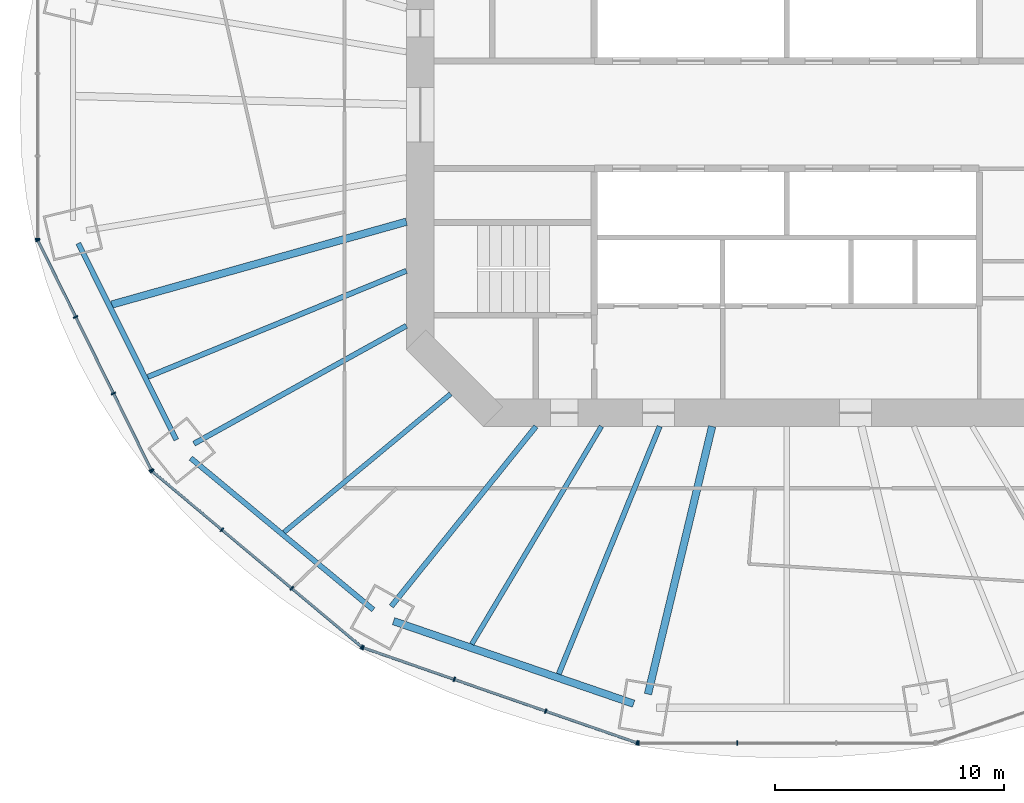
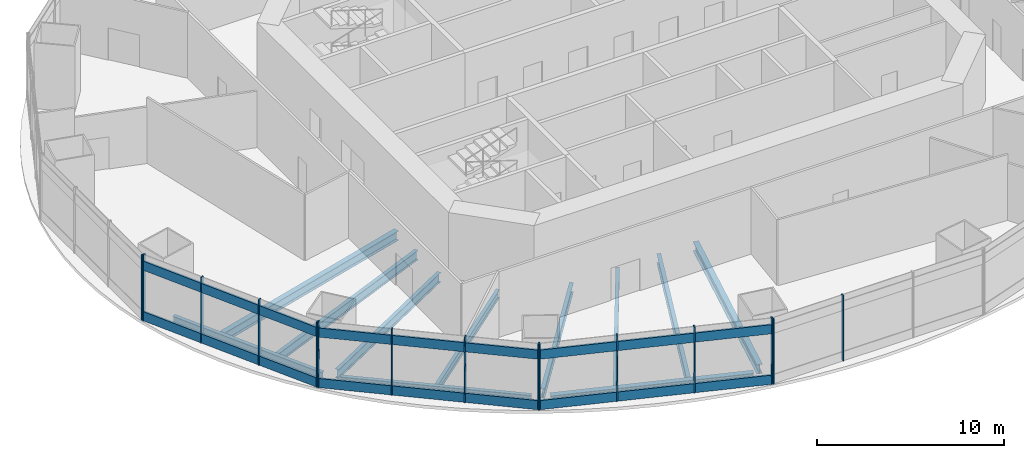
# One storey, part 2 of 17: 36 members, 11 beams, 10 elements without a shape of their own.
"""IFC4 building model written with IfcOpenShell, lengths in metres."""

from ifc_helpers import new_model, si_unit, direction, frame, origin, origin_2d, place, context, subcontext, project, spatial, rectangle, i_section, extrude, material, material_profile, profile_set, type_object, element, aggregate, save


model = new_model("IFC4")

# Units and contexts
model_context = context("Model", 3, precision=1e-05, world=origin(), true_north=direction((0.0, 1.0)))
body_context = subcontext(model_context, "Body", "Model", "MODEL_VIEW")
ifc_project = project(units=[si_unit("LENGTHUNIT", "METRE"), si_unit("AREAUNIT", "SQUARE_METRE"), si_unit("VOLUMEUNIT", "CUBIC_METRE"), si_unit("PLANEANGLEUNIT", "RADIAN"), si_unit("MASSUNIT", "GRAM", prefix="KILO")], contexts=[model_context])

# Site, building, storey
site_placement = place(None, origin())
site = spatial("IfcSite", under=ifc_project, at=site_placement, CompositionType="ELEMENT")
building_placement = place(site_placement, origin())
building = spatial("IfcBuilding", under=site, at=building_placement, Name="Marenthal Gate Tower", CompositionType="ELEMENT")
storey_placement = place(building_placement, frame((0.0, 0.0, 145.050048828125)))
storey = spatial("IfcBuildingStorey", under=building, at=storey_placement, Name="L31", CompositionType="ELEMENT", Elevation=145.050048828125)

# Curtain wall, member
ifc_material_1 = material(Name="Aluminium and glass", Category="aluminium")
curtain_wall_type_1 = type_object("IfcCurtainWallType", Name="Curtain wall amenity", PredefinedType="NOTDEFINED", material=ifc_material_1)
curtain_wall_1_placement = place(storey_placement, origin())
curtain_wall_1 = element("IfcCurtainWall", 1, at=curtain_wall_1_placement, inside=storey, type_object=curtain_wall_type_1, Name="Curtain wall L31 bay 8", PredefinedType="NOTDEFINED")
ifc_material_2 = material(Name="Aluminium", Category="aluminium")
ifc_material_profile_1 = material_profile(ifc_material_2, rectangle(XDim=0.199951171875, YDim=0.06005859375, at=origin_2d()), Name="60x200 aluminium mullion")
ifc_profile_set_1 = profile_set([ifc_material_profile_1], Name="Aluminium")
member_type_1 = type_object("IfcMemberType", Name="Mullion 60x200 amenity", PredefinedType="MULLION", material=ifc_profile_set_1)
member_1_placement = place(storey_placement, frame((-32.701416015625, -5.424072265625, 0.0), z_axis=(0.0, 0.0, 1.0), x_axis=(1.0, 0.0, 0.0)))
member_1 = element("IfcMember", 2, at=member_1_placement, type_object=member_type_1, Name="Mullion L31 bay 8.4", PredefinedType="MULLION", context=body_context, shape_type="SweptSolid", body=[
    extrude(rectangle(XDim=0.199951171875, YDim=0.06005859375, at=origin_2d()), origin(), (0.0, 0.0, 1.0), 3.300048828125),
])
aggregate(curtain_wall_1, [member_1])

# Curtain wall, members
curtain_wall_2_placement = place(storey_placement, origin())
curtain_wall_2 = element("IfcCurtainWall", 3, at=curtain_wall_2_placement, inside=storey, type_object=curtain_wall_type_1, Name="Curtain wall L31 bay 9", PredefinedType="NOTDEFINED")
member_2_placement = place(storey_placement, frame((-32.68798828125, -5.48095703125, 0.0), z_axis=(0.0, 0.0, 1.0), x_axis=(0.896573265484, 0.442895449987, 0.0)))
member_2 = element("IfcMember", 4, at=member_2_placement, type_object=member_type_1, Name="Mullion L31 bay 9.1", PredefinedType="MULLION", context=body_context, shape_type="SweptSolid", body=[
    extrude(rectangle(XDim=0.199951171875, YDim=0.06005859375, at=origin_2d()), origin(), (0.0, 0.0, 1.0), 3.300048828125),
])
member_3_placement = place(storey_placement, frame((-31.037353515625, -8.822509765625, 0.0), z_axis=(0.0, 0.0, 1.0), x_axis=(0.896573265484, 0.442895449987, 0.0)))
member_3 = element("IfcMember", 5, at=member_3_placement, type_object=member_type_1, Name="Mullion L31 bay 9.2", PredefinedType="MULLION", context=body_context, shape_type="SweptSolid", body=[
    extrude(rectangle(XDim=0.199951171875, YDim=0.06005859375, at=origin_2d()), origin(), (0.0, 0.0, 1.0), 3.300048828125),
])
member_4_placement = place(storey_placement, frame((-29.38671875, -12.163818359375, 0.0), z_axis=(0.0, 0.0, 1.0), x_axis=(0.896573265484, 0.442895449987, 0.0)))
member_4 = element("IfcMember", 6, at=member_4_placement, type_object=member_type_1, Name="Mullion L31 bay 9.3", PredefinedType="MULLION", context=body_context, shape_type="SweptSolid", body=[
    extrude(rectangle(XDim=0.199951171875, YDim=0.06005859375, at=origin_2d()), origin(), (0.0, 0.0, 1.0), 3.300048828125),
])
member_5_placement = place(storey_placement, frame((-27.736083984375, -15.505126953125, 0.0), z_axis=(0.0, 0.0, 1.0), x_axis=(0.896573265484, 0.442895449987, 0.0)))
member_5 = element("IfcMember", 7, at=member_5_placement, type_object=member_type_1, Name="Mullion L31 bay 9.4", PredefinedType="MULLION", context=body_context, shape_type="SweptSolid", body=[
    extrude(rectangle(XDim=0.199951171875, YDim=0.06005859375, at=origin_2d()), origin(), (0.0, 0.0, 1.0), 3.300048828125),
])

curtain_wall_3_placement = place(storey_placement, origin())
curtain_wall_3 = element("IfcCurtainWall", 8, at=curtain_wall_3_placement, inside=storey, type_object=curtain_wall_type_1, Name="Curtain wall L31 bay 10", PredefinedType="NOTDEFINED")
member_6_placement = place(storey_placement, frame((-27.699951171875, -15.55126953125, 0.0), z_axis=(0.0, 0.0, 1.0), x_axis=(0.642510826857, 0.766276606305, 0.0)))
member_6 = element("IfcMember", 9, at=member_6_placement, type_object=member_type_1, Name="Mullion L31 bay 10.1", PredefinedType="MULLION", context=body_context, shape_type="SweptSolid", body=[
    extrude(rectangle(XDim=0.199951171875, YDim=0.06005859375, at=origin_2d()), origin(), (0.0, 0.0, 1.0), 3.300048828125),
])
member_7_placement = place(storey_placement, frame((-24.64892578125, -18.109619140625, 0.0), z_axis=(0.0, 0.0, 1.0), x_axis=(0.642510826857, 0.766276606305, 0.0)))
member_7 = element("IfcMember", 10, at=member_7_placement, type_object=member_type_1, Name="Mullion L31 bay 10.2", PredefinedType="MULLION", context=body_context, shape_type="SweptSolid", body=[
    extrude(rectangle(XDim=0.199951171875, YDim=0.06005859375, at=origin_2d()), origin(), (0.0, 0.0, 1.0), 3.300048828125),
])
member_8_placement = place(storey_placement, frame((-21.597900390625, -20.66796875, 0.0), z_axis=(0.0, 0.0, 1.0), x_axis=(0.642510826857, 0.766276606305, 0.0)))
member_8 = element("IfcMember", 11, at=member_8_placement, type_object=member_type_1, Name="Mullion L31 bay 10.3", PredefinedType="MULLION", context=body_context, shape_type="SweptSolid", body=[
    extrude(rectangle(XDim=0.199951171875, YDim=0.06005859375, at=origin_2d()), origin(), (0.0, 0.0, 1.0), 3.300048828125),
])
member_9_placement = place(storey_placement, frame((-18.546875, -23.22607421875, 0.0), z_axis=(0.0, 0.0, 1.0), x_axis=(0.642510826857, 0.766276606305, 0.0)))
member_9 = element("IfcMember", 12, at=member_9_placement, type_object=member_type_1, Name="Mullion L31 bay 10.4", PredefinedType="MULLION", context=body_context, shape_type="SweptSolid", body=[
    extrude(rectangle(XDim=0.199951171875, YDim=0.06005859375, at=origin_2d()), origin(), (0.0, 0.0, 1.0), 3.300048828125),
])

curtain_wall_4_placement = place(storey_placement, origin())
curtain_wall_4 = element("IfcCurtainWall", 13, at=curtain_wall_4_placement, inside=storey, type_object=curtain_wall_type_1, Name="Curtain wall L31 bay 11", PredefinedType="NOTDEFINED")
member_10_placement = place(storey_placement, frame((-18.495361328125, -23.255126953125, 0.0), z_axis=(0.0, 0.0, 1.0), x_axis=(0.328088938475, 0.944646837951, 0.0)))
member_10 = element("IfcMember", 14, at=member_10_placement, type_object=member_type_1, Name="Mullion L31 bay 11.1", PredefinedType="MULLION", context=body_context, shape_type="SweptSolid", body=[
    extrude(rectangle(XDim=0.199951171875, YDim=0.06005859375, at=origin_2d()), origin(), (0.0, 0.0, 1.0), 3.300048828125),
])
member_11_placement = place(storey_placement, frame((-14.508056640625, -24.64013671875, 0.0), z_axis=(0.0, 0.0, 1.0), x_axis=(0.328088938475, 0.944646837951, 0.0)))
member_11 = element("IfcMember", 15, at=member_11_placement, type_object=member_type_1, Name="Mullion L31 bay 11.2", PredefinedType="MULLION", context=body_context, shape_type="SweptSolid", body=[
    extrude(rectangle(XDim=0.199951171875, YDim=0.06005859375, at=origin_2d()), origin(), (0.0, 0.0, 1.0), 3.300048828125),
])
member_12_placement = place(storey_placement, frame((-10.5205078125, -26.025146484375, 0.0), z_axis=(0.0, 0.0, 1.0), x_axis=(0.328088938475, 0.944646837951, 0.0)))
member_12 = element("IfcMember", 16, at=member_12_placement, type_object=member_type_1, Name="Mullion L31 bay 11.3", PredefinedType="MULLION", context=body_context, shape_type="SweptSolid", body=[
    extrude(rectangle(XDim=0.199951171875, YDim=0.06005859375, at=origin_2d()), origin(), (0.0, 0.0, 1.0), 3.300048828125),
])
member_13_placement = place(storey_placement, frame((-6.532958984375, -27.409912109375, 0.0), z_axis=(0.0, 0.0, 1.0), x_axis=(0.328088938475, 0.944646837951, 0.0)))
member_13 = element("IfcMember", 17, at=member_13_placement, type_object=member_type_1, Name="Mullion L31 bay 11.4", PredefinedType="MULLION", context=body_context, shape_type="SweptSolid", body=[
    extrude(rectangle(XDim=0.199951171875, YDim=0.06005859375, at=origin_2d()), origin(), (0.0, 0.0, 1.0), 3.300048828125),
])

curtain_wall_5_placement = place(storey_placement, origin())
curtain_wall_5 = element("IfcCurtainWall", 18, at=curtain_wall_5_placement, inside=storey, type_object=curtain_wall_type_1, Name="Curtain wall L31 bay 12", PredefinedType="NOTDEFINED")
member_14_placement = place(storey_placement, frame((-6.474609375, -27.419921875, 0.0), z_axis=(0.0, 0.0, 1.0), x_axis=(0.0, 1.0, 0.0)))
member_14 = element("IfcMember", 19, at=member_14_placement, type_object=member_type_1, Name="Mullion L31 bay 12.1", PredefinedType="MULLION", context=body_context, shape_type="SweptSolid", body=[
    extrude(rectangle(XDim=0.199951171875, YDim=0.06005859375, at=origin_2d()), origin(), (0.0, 0.0, 1.0), 3.300048828125),
])
member_15_placement = place(storey_placement, frame((-2.158203125, -27.419921875, 0.0), z_axis=(0.0, 0.0, 1.0), x_axis=(0.0, 1.0, 0.0)))
member_15 = element("IfcMember", 20, at=member_15_placement, type_object=member_type_1, Name="Mullion L31 bay 12.2", PredefinedType="MULLION", context=body_context, shape_type="SweptSolid", body=[
    extrude(rectangle(XDim=0.199951171875, YDim=0.06005859375, at=origin_2d()), origin(), (0.0, 0.0, 1.0), 3.300048828125),
])
aggregate(curtain_wall_5, [member_14, member_15])

# Curtain wall, member
ifc_material_3 = material(Name="Aluminium and glass", Category="aluminium")
curtain_wall_type_2 = type_object("IfcCurtainWallType", Name="Curtain wall crown clad", PredefinedType="NOTDEFINED", material=ifc_material_3)
curtain_wall_6_placement = place(storey_placement, origin())
curtain_wall_6 = element("IfcCurtainWall", 21, at=curtain_wall_6_placement, inside=storey, type_object=curtain_wall_type_2, Name="Curtain wall L31 bay 8 head band", PredefinedType="NOTDEFINED")
ifc_material_4 = material(Name="Aluminium", Category="aluminium")
ifc_material_profile_2 = material_profile(ifc_material_4, rectangle(XDim=0.199951171875, YDim=0.06005859375, at=origin_2d()), Name="60x200 aluminium mullion")
ifc_profile_set_2 = profile_set([ifc_material_profile_2], Name="Aluminium")
member_type_2 = type_object("IfcMemberType", Name="Mullion 60x200 crown clad", PredefinedType="MULLION", material=ifc_profile_set_2)
member_16_placement = place(storey_placement, frame((-32.701416015625, -5.424072265625, 3.300048828125), z_axis=(0.0, 0.0, 1.0), x_axis=(1.0, 0.0, 0.0)))
member_16 = element("IfcMember", 22, at=member_16_placement, type_object=member_type_2, Name="Mullion L31 bay 8.4", PredefinedType="MULLION", context=body_context, shape_type="SweptSolid", body=[
    extrude(rectangle(XDim=0.199951171875, YDim=0.06005859375, at=origin_2d()), origin(), (0.0, 0.0, 1.0), 1.0),
])
aggregate(curtain_wall_6, [member_16])

# Curtain wall, members
curtain_wall_7_placement = place(storey_placement, origin())
curtain_wall_7 = element("IfcCurtainWall", 23, at=curtain_wall_7_placement, inside=storey, type_object=curtain_wall_type_2, Name="Curtain wall L31 bay 9 head band", PredefinedType="NOTDEFINED")
member_17_placement = place(storey_placement, frame((-32.68798828125, -5.48095703125, 3.300048828125), z_axis=(0.0, 0.0, 1.0), x_axis=(0.896573265484, 0.442895449987, 0.0)))
member_17 = element("IfcMember", 24, at=member_17_placement, type_object=member_type_2, Name="Mullion L31 bay 9.1", PredefinedType="MULLION", context=body_context, shape_type="SweptSolid", body=[
    extrude(rectangle(XDim=0.199951171875, YDim=0.06005859375, at=origin_2d()), origin(), (0.0, 0.0, 1.0), 1.0),
])
member_18_placement = place(storey_placement, frame((-31.037353515625, -8.822509765625, 3.300048828125), z_axis=(0.0, 0.0, 1.0), x_axis=(0.896573265484, 0.442895449987, 0.0)))
member_18 = element("IfcMember", 25, at=member_18_placement, type_object=member_type_2, Name="Mullion L31 bay 9.2", PredefinedType="MULLION", context=body_context, shape_type="SweptSolid", body=[
    extrude(rectangle(XDim=0.199951171875, YDim=0.06005859375, at=origin_2d()), origin(), (0.0, 0.0, 1.0), 1.0),
])
member_19_placement = place(storey_placement, frame((-29.38671875, -12.163818359375, 3.300048828125), z_axis=(0.0, 0.0, 1.0), x_axis=(0.896573265484, 0.442895449987, 0.0)))
member_19 = element("IfcMember", 26, at=member_19_placement, type_object=member_type_2, Name="Mullion L31 bay 9.3", PredefinedType="MULLION", context=body_context, shape_type="SweptSolid", body=[
    extrude(rectangle(XDim=0.199951171875, YDim=0.06005859375, at=origin_2d()), origin(), (0.0, 0.0, 1.0), 1.0),
])
member_20_placement = place(storey_placement, frame((-27.736083984375, -15.505126953125, 3.300048828125), z_axis=(0.0, 0.0, 1.0), x_axis=(0.896573265484, 0.442895449987, 0.0)))
member_20 = element("IfcMember", 27, at=member_20_placement, type_object=member_type_2, Name="Mullion L31 bay 9.4", PredefinedType="MULLION", context=body_context, shape_type="SweptSolid", body=[
    extrude(rectangle(XDim=0.199951171875, YDim=0.06005859375, at=origin_2d()), origin(), (0.0, 0.0, 1.0), 1.0),
])

curtain_wall_8_placement = place(storey_placement, origin())
curtain_wall_8 = element("IfcCurtainWall", 28, at=curtain_wall_8_placement, inside=storey, type_object=curtain_wall_type_2, Name="Curtain wall L31 bay 10 head band", PredefinedType="NOTDEFINED")
member_21_placement = place(storey_placement, frame((-27.699951171875, -15.55126953125, 3.300048828125), z_axis=(0.0, 0.0, 1.0), x_axis=(0.642510826857, 0.766276606305, 0.0)))
member_21 = element("IfcMember", 29, at=member_21_placement, type_object=member_type_2, Name="Mullion L31 bay 10.1", PredefinedType="MULLION", context=body_context, shape_type="SweptSolid", body=[
    extrude(rectangle(XDim=0.199951171875, YDim=0.06005859375, at=origin_2d()), origin(), (0.0, 0.0, 1.0), 1.0),
])
member_22_placement = place(storey_placement, frame((-24.64892578125, -18.109619140625, 3.300048828125), z_axis=(0.0, 0.0, 1.0), x_axis=(0.642510826857, 0.766276606305, 0.0)))
member_22 = element("IfcMember", 30, at=member_22_placement, type_object=member_type_2, Name="Mullion L31 bay 10.2", PredefinedType="MULLION", context=body_context, shape_type="SweptSolid", body=[
    extrude(rectangle(XDim=0.199951171875, YDim=0.06005859375, at=origin_2d()), origin(), (0.0, 0.0, 1.0), 1.0),
])
member_23_placement = place(storey_placement, frame((-21.597900390625, -20.66796875, 3.300048828125), z_axis=(0.0, 0.0, 1.0), x_axis=(0.642510826857, 0.766276606305, 0.0)))
member_23 = element("IfcMember", 31, at=member_23_placement, type_object=member_type_2, Name="Mullion L31 bay 10.3", PredefinedType="MULLION", context=body_context, shape_type="SweptSolid", body=[
    extrude(rectangle(XDim=0.199951171875, YDim=0.06005859375, at=origin_2d()), origin(), (0.0, 0.0, 1.0), 1.0),
])
member_24_placement = place(storey_placement, frame((-18.546875, -23.22607421875, 3.300048828125), z_axis=(0.0, 0.0, 1.0), x_axis=(0.642510826857, 0.766276606305, 0.0)))
member_24 = element("IfcMember", 32, at=member_24_placement, type_object=member_type_2, Name="Mullion L31 bay 10.4", PredefinedType="MULLION", context=body_context, shape_type="SweptSolid", body=[
    extrude(rectangle(XDim=0.199951171875, YDim=0.06005859375, at=origin_2d()), origin(), (0.0, 0.0, 1.0), 1.0),
])

curtain_wall_9_placement = place(storey_placement, origin())
curtain_wall_9 = element("IfcCurtainWall", 33, at=curtain_wall_9_placement, inside=storey, type_object=curtain_wall_type_2, Name="Curtain wall L31 bay 11 head band", PredefinedType="NOTDEFINED")
member_25_placement = place(storey_placement, frame((-18.495361328125, -23.255126953125, 3.300048828125), z_axis=(0.0, 0.0, 1.0), x_axis=(0.328088938475, 0.944646837951, 0.0)))
member_25 = element("IfcMember", 34, at=member_25_placement, type_object=member_type_2, Name="Mullion L31 bay 11.1", PredefinedType="MULLION", context=body_context, shape_type="SweptSolid", body=[
    extrude(rectangle(XDim=0.199951171875, YDim=0.06005859375, at=origin_2d()), origin(), (0.0, 0.0, 1.0), 1.0),
])
member_26_placement = place(storey_placement, frame((-14.508056640625, -24.64013671875, 3.300048828125), z_axis=(0.0, 0.0, 1.0), x_axis=(0.328088938475, 0.944646837951, 0.0)))
member_26 = element("IfcMember", 35, at=member_26_placement, type_object=member_type_2, Name="Mullion L31 bay 11.2", PredefinedType="MULLION", context=body_context, shape_type="SweptSolid", body=[
    extrude(rectangle(XDim=0.199951171875, YDim=0.06005859375, at=origin_2d()), origin(), (0.0, 0.0, 1.0), 1.0),
])
member_27_placement = place(storey_placement, frame((-10.5205078125, -26.025146484375, 3.300048828125), z_axis=(0.0, 0.0, 1.0), x_axis=(0.328088938475, 0.944646837951, 0.0)))
member_27 = element("IfcMember", 36, at=member_27_placement, type_object=member_type_2, Name="Mullion L31 bay 11.3", PredefinedType="MULLION", context=body_context, shape_type="SweptSolid", body=[
    extrude(rectangle(XDim=0.199951171875, YDim=0.06005859375, at=origin_2d()), origin(), (0.0, 0.0, 1.0), 1.0),
])
member_28_placement = place(storey_placement, frame((-6.532958984375, -27.409912109375, 3.300048828125), z_axis=(0.0, 0.0, 1.0), x_axis=(0.328088938475, 0.944646837951, 0.0)))
member_28 = element("IfcMember", 37, at=member_28_placement, type_object=member_type_2, Name="Mullion L31 bay 11.4", PredefinedType="MULLION", context=body_context, shape_type="SweptSolid", body=[
    extrude(rectangle(XDim=0.199951171875, YDim=0.06005859375, at=origin_2d()), origin(), (0.0, 0.0, 1.0), 1.0),
])

curtain_wall_10_placement = place(storey_placement, origin())
curtain_wall_10 = element("IfcCurtainWall", 38, at=curtain_wall_10_placement, inside=storey, type_object=curtain_wall_type_2, Name="Curtain wall L31 bay 12 head band", PredefinedType="NOTDEFINED")
member_29_placement = place(storey_placement, frame((-6.474609375, -27.419921875, 3.300048828125), z_axis=(0.0, 0.0, 1.0), x_axis=(0.0, 1.0, 0.0)))
member_29 = element("IfcMember", 39, at=member_29_placement, type_object=member_type_2, Name="Mullion L31 bay 12.1", PredefinedType="MULLION", context=body_context, shape_type="SweptSolid", body=[
    extrude(rectangle(XDim=0.199951171875, YDim=0.06005859375, at=origin_2d()), origin(), (0.0, 0.0, 1.0), 1.0),
])
member_30_placement = place(storey_placement, frame((-2.158203125, -27.419921875, 3.300048828125), z_axis=(0.0, 0.0, 1.0), x_axis=(0.0, 1.0, 0.0)))
member_30 = element("IfcMember", 40, at=member_30_placement, type_object=member_type_2, Name="Mullion L31 bay 12.2", PredefinedType="MULLION", context=body_context, shape_type="SweptSolid", body=[
    extrude(rectangle(XDim=0.199951171875, YDim=0.06005859375, at=origin_2d()), origin(), (0.0, 0.0, 1.0), 1.0),
])
aggregate(curtain_wall_10, [member_29, member_30])

# Member
ifc_material_5 = material(Name="Aluminium", Category="aluminium")
ifc_material_profile_3 = material_profile(ifc_material_5, rectangle(XDim=0.1201171875, YDim=0.60009765625, at=origin_2d()), Name="120x600 aluminium transom")
ifc_profile_set_3 = profile_set([ifc_material_profile_3], Name="Aluminium")
member_type_3 = type_object("IfcMemberType", Name="Transom 120x600 amenity", PredefinedType="USERDEFINED", material=ifc_profile_set_3)
member_31_placement = place(storey_placement, frame((-32.6748046875, -5.5078125, 0.300048828125), z_axis=(0.442896665934, -0.896572664821, 0.0), x_axis=(0.896572664821, 0.442896665934, 0.0)))
member_31 = element("IfcMember", 41, at=member_31_placement, type_object=member_type_3, Name="Transom L31 bay 9", ObjectType="TRANSOM", PredefinedType="USERDEFINED", context=body_context, shape_type="SweptSolid", body=[
    extrude(rectangle(XDim=0.1201171875, YDim=0.60009765625, at=origin_2d()), origin(), (0.0, 0.0, 1.0), 11.12060546875),
])

aggregate(curtain_wall_2, [member_2, member_3, member_4, member_5, member_31])

member_32_placement = place(storey_placement, frame((-27.677001953125, -15.570556640625, 0.300048828125), z_axis=(0.76627636454, -0.642511115194, 0.0), x_axis=(0.642511115194, 0.76627636454, 0.0)))
member_32 = element("IfcMember", 42, at=member_32_placement, type_object=member_type_3, Name="Transom L31 bay 10", ObjectType="TRANSOM", PredefinedType="USERDEFINED", context=body_context, shape_type="SweptSolid", body=[
    extrude(rectangle(XDim=0.1201171875, YDim=0.60009765625, at=origin_2d()), origin(), (0.0, 0.0, 1.0), 11.885009765625),
])

aggregate(curtain_wall_3, [member_6, member_7, member_8, member_9, member_32])

member_33_placement = place(storey_placement, frame((-18.467041015625, -23.26513671875, 0.300048828125), z_axis=(0.944647484164, -0.328087077867, 0.0), x_axis=(0.328087077867, 0.944647484164, 0.0)))
member_33 = element("IfcMember", 43, at=member_33_placement, type_object=member_type_3, Name="Transom L31 bay 11", ObjectType="TRANSOM", PredefinedType="USERDEFINED", context=body_context, shape_type="SweptSolid", body=[
    extrude(rectangle(XDim=0.1201171875, YDim=0.60009765625, at=origin_2d()), origin(), (0.0, 0.0, 1.0), 12.603271484375),
])

aggregate(curtain_wall_4, [member_10, member_11, member_12, member_13, member_33])

ifc_material_6 = material(Name="Aluminium", Category="aluminium")
ifc_material_profile_4 = material_profile(ifc_material_6, rectangle(XDim=0.1201171875, YDim=0.60009765625, at=origin_2d()), Name="120x600 aluminium transom")
ifc_profile_set_4 = profile_set([ifc_material_profile_4], Name="Aluminium")
member_type_4 = type_object("IfcMemberType", Name="Transom 120x600 crown clad", PredefinedType="USERDEFINED", material=ifc_profile_set_4)
member_34_placement = place(storey_placement, frame((-32.6748046875, -5.5078125, 3.599853515625), z_axis=(0.442896665934, -0.896572664821, 0.0), x_axis=(0.896572664821, 0.442896665934, 0.0)))
member_34 = element("IfcMember", 44, at=member_34_placement, type_object=member_type_4, Name="Transom L31 bay 9", ObjectType="TRANSOM", PredefinedType="USERDEFINED", context=body_context, shape_type="SweptSolid", body=[
    extrude(rectangle(XDim=0.1201171875, YDim=0.60009765625, at=origin_2d()), origin(), (0.0, 0.0, 1.0), 11.12060546875),
])

aggregate(curtain_wall_7, [member_17, member_18, member_19, member_20, member_34])

member_35_placement = place(storey_placement, frame((-27.677001953125, -15.570556640625, 3.599853515625), z_axis=(0.76627636454, -0.642511115194, 0.0), x_axis=(0.642511115194, 0.76627636454, 0.0)))
member_35 = element("IfcMember", 45, at=member_35_placement, type_object=member_type_4, Name="Transom L31 bay 10", ObjectType="TRANSOM", PredefinedType="USERDEFINED", context=body_context, shape_type="SweptSolid", body=[
    extrude(rectangle(XDim=0.1201171875, YDim=0.60009765625, at=origin_2d()), origin(), (0.0, 0.0, 1.0), 11.885009765625),
])

aggregate(curtain_wall_8, [member_21, member_22, member_23, member_24, member_35])

member_36_placement = place(storey_placement, frame((-18.467041015625, -23.26513671875, 3.599853515625), z_axis=(0.944647484164, -0.328087077867, 0.0), x_axis=(0.328087077867, 0.944647484164, 0.0)))
member_36 = element("IfcMember", 46, at=member_36_placement, type_object=member_type_4, Name="Transom L31 bay 11", ObjectType="TRANSOM", PredefinedType="USERDEFINED", context=body_context, shape_type="SweptSolid", body=[
    extrude(rectangle(XDim=0.1201171875, YDim=0.60009765625, at=origin_2d()), origin(), (0.0, 0.0, 1.0), 12.603271484375),
])

aggregate(curtain_wall_9, [member_25, member_26, member_27, member_28, member_36])

# Beams
ifc_material_7 = material(Name="Steel S355", Category="steel")
ifc_material_profile_5 = material_profile(ifc_material_7, i_section(OverallWidth=0.2099609375, OverallDepth=0.535888671875, WebThickness=0.010986328125, FlangeThickness=0.017333984375, FilletRadius=0.0126953125, at=origin_2d()), Name="W530X101")
ifc_profile_set_5 = profile_set([ifc_material_profile_5], Name="Steel S355")
beam_type_1 = type_object("IfcBeamType", Name="W530X101 beam", PredefinedType="BEAM", material=ifc_profile_set_5)
beam_1_placement = place(storey_placement, frame((-21.93798828125, -18.218505859375, -0.468017578125), z_axis=(0.769321242726, 0.638862133399, 0.0), x_axis=(-0.638862133399, 0.769321242726, 0.0)))
element("IfcBeam", 47, at=beam_1_placement, inside=storey, type_object=beam_type_1, Name="BM-L31-31", PredefinedType="BEAM", context=body_context, shape_type="SweptSolid", body=[
    extrude(i_section(OverallWidth=0.2099609375, OverallDepth=0.535888671875, WebThickness=0.010986328125, FlangeThickness=0.017333984375, FilletRadius=0.0126953125, at=origin_2d()), origin(), (0.0, 0.0, 1.0), 9.450439453125),
])
ifc_material_8 = material(Name="Steel S355", Category="steel")
ifc_material_profile_6 = material_profile(ifc_material_8, i_section(OverallWidth=0.2119140625, OverallDepth=0.5439453125, WebThickness=0.01318359375, FlangeThickness=0.021240234375, FilletRadius=0.0126953125, at=origin_2d()), Name="W530X123")
ifc_profile_set_6 = profile_set([ifc_material_profile_6], Name="Steel S355")
beam_type_2 = type_object("IfcBeamType", Name="W530X123 beam", PredefinedType="BEAM", material=ifc_profile_set_6)
beam_2_placement = place(storey_placement, frame((-13.74462890625, -23.101806640625, -0.47216796875), z_axis=(0.511319639354, 0.859390613406, 0.0), x_axis=(-0.859390613406, 0.511319639354, 0.0)))
element("IfcBeam", 48, at=beam_2_placement, inside=storey, type_object=beam_type_2, Name="BM-L31-32", PredefinedType="BEAM", context=body_context, shape_type="SweptSolid", body=[
    extrude(i_section(OverallWidth=0.2119140625, OverallDepth=0.5439453125, WebThickness=0.01318359375, FlangeThickness=0.021240234375, FilletRadius=0.0126953125, at=origin_2d()), origin(), (0.0, 0.0, 1.0), 11.056396484375),
])
ifc_material_9 = material(Name="Steel S355", Category="steel")
ifc_material_profile_7 = material_profile(ifc_material_9, i_section(OverallWidth=0.22900390625, OverallDepth=0.612060546875, WebThickness=0.011962890625, FlangeThickness=0.01953125, FilletRadius=0.0126953125, at=origin_2d()), Name="W610X125")
ifc_profile_set_7 = profile_set([ifc_material_profile_7], Name="Steel S355")
beam_type_3 = type_object("IfcBeamType", Name="W610X125 beam", PredefinedType="BEAM", material=ifc_profile_set_7)
beam_3_placement = place(storey_placement, frame((-25.8701171875, -14.355224609375, -0.506103515625), z_axis=(0.874396146379, 0.485212715412, 0.0), x_axis=(-0.485212715412, 0.874396146379, 0.0)))
element("IfcBeam", 49, at=beam_3_placement, inside=storey, type_object=beam_type_3, Name="BM-L31-10", PredefinedType="BEAM", context=body_context, shape_type="SweptSolid", body=[
    extrude(i_section(OverallWidth=0.22900390625, OverallDepth=0.612060546875, WebThickness=0.011962890625, FlangeThickness=0.01953125, FilletRadius=0.0126953125, at=origin_2d()), origin(), (0.0, 0.0, 1.0), 10.6015625),
])
beam_4_placement = place(storey_placement, frame((-17.259521484375, -21.45166015625, -0.506103515625), z_axis=(0.6268641657, 0.77912856305, 0.0), x_axis=(-0.77912856305, 0.6268641657, 0.0)))
element("IfcBeam", 50, at=beam_4_placement, inside=storey, type_object=beam_type_3, Name="BM-L31-11", PredefinedType="BEAM", context=body_context, shape_type="SweptSolid", body=[
    extrude(i_section(OverallWidth=0.22900390625, OverallDepth=0.612060546875, WebThickness=0.011962890625, FlangeThickness=0.01953125, FilletRadius=0.0126953125, at=origin_2d()), origin(), (0.0, 0.0, 1.0), 10.077392578125),
])
beam_5_placement = place(storey_placement, frame((-27.8837890625, -11.441162109375, -0.506103515625), z_axis=(0.925149152046, 0.379603801969, 0.0), x_axis=(-0.379603801969, 0.925149152046, 0.0)))
element("IfcBeam", 51, at=beam_5_placement, inside=storey, type_object=beam_type_3, Name="BM-L31-30", PredefinedType="BEAM", context=body_context, shape_type="SweptSolid", body=[
    extrude(i_section(OverallWidth=0.22900390625, OverallDepth=0.612060546875, WebThickness=0.011962890625, FlangeThickness=0.01953125, FilletRadius=0.0126953125, at=origin_2d()), origin(), (0.0, 0.0, 1.0), 12.196533203125),
])
beam_6_placement = place(storey_placement, frame((-9.951416015625, -24.406494140625, -0.506103515625), z_axis=(0.377546734529, 0.925990530862, 0.0), x_axis=(-0.925990530862, 0.377546734529, 0.0)))
element("IfcBeam", 52, at=beam_6_placement, inside=storey, type_object=beam_type_3, Name="BM-L31-33", PredefinedType="BEAM", context=body_context, shape_type="SweptSolid", body=[
    extrude(i_section(OverallWidth=0.22900390625, OverallDepth=0.612060546875, WebThickness=0.011962890625, FlangeThickness=0.01953125, FilletRadius=0.0126953125, at=origin_2d()), origin(), (0.0, 0.0, 1.0), 11.670166015625),
])
beam_7_placement = place(storey_placement, frame((-30.916748046875, -5.616943359375, -0.506103515625), z_axis=(0.446356728124, -0.89485511188, 0.0), x_axis=(0.89485511188, 0.446356728124, 0.0)))
element("IfcBeam", 53, at=beam_7_placement, inside=storey, type_object=beam_type_3, Name="BM-L31-49", PredefinedType="BEAM", context=body_context, shape_type="SweptSolid", body=[
    extrude(i_section(OverallWidth=0.22900390625, OverallDepth=0.612060546875, WebThickness=0.011962890625, FlangeThickness=0.01953125, FilletRadius=0.0126953125, at=origin_2d()), origin(), (0.0, 0.0, 1.0), 9.57568359375),
])
beam_8_placement = place(storey_placement, frame((-26.0087890625, -14.98681640625, -0.506103515625), z_axis=(0.769308410826, -0.638877585326, 0.0), x_axis=(0.638877585326, 0.769308410826, 0.0)))
element("IfcBeam", 54, at=beam_8_placement, inside=storey, type_object=beam_type_3, Name="BM-L31-50", PredefinedType="BEAM", context=body_context, shape_type="SweptSolid", body=[
    extrude(i_section(OverallWidth=0.22900390625, OverallDepth=0.612060546875, WebThickness=0.011962890625, FlangeThickness=0.01953125, FilletRadius=0.0126953125, at=origin_2d()), origin(), (0.0, 0.0, 1.0), 10.35302734375),
])
ifc_material_10 = material(Name="Steel S355", Category="steel")
ifc_material_profile_8 = material_profile(ifc_material_10, i_section(OverallWidth=0.324951171875, OverallDepth=0.612060546875, WebThickness=0.0126953125, FlangeThickness=0.01904296875, FilletRadius=0.0126953125, at=origin_2d()), Name="W610X155")
ifc_profile_set_8 = profile_set([ifc_material_profile_8], Name="Steel S355")
beam_type_4 = type_object("IfcBeamType", Name="W610X155 beam", PredefinedType="BEAM", material=ifc_profile_set_8)
beam_9_placement = place(storey_placement, frame((-6.05615234375, -25.283935546875, -0.506103515625), z_axis=(0.232937154271, 0.972491790279, 0.0), x_axis=(-0.972491790279, 0.232937154271, 0.0)))
element("IfcBeam", 55, at=beam_9_placement, inside=storey, type_object=beam_type_4, Name="BM-L31-12", PredefinedType="BEAM", context=body_context, shape_type="SweptSolid", body=[
    extrude(i_section(OverallWidth=0.324951171875, OverallDepth=0.612060546875, WebThickness=0.0126953125, FlangeThickness=0.01904296875, FilletRadius=0.0126953125, at=origin_2d()), origin(), (0.0, 0.0, 1.0), 12.014404296875),
])
beam_10_placement = place(storey_placement, frame((-29.45849609375, -8.28369140625, -0.506103515625), z_axis=(0.962664635001, 0.270696879402, 0.0), x_axis=(-0.270696879402, 0.962664635001, 0.0)))
element("IfcBeam", 56, at=beam_10_placement, inside=storey, type_object=beam_type_4, Name="BM-L31-29", PredefinedType="BEAM", context=body_context, shape_type="SweptSolid", body=[
    extrude(i_section(OverallWidth=0.324951171875, OverallDepth=0.612060546875, WebThickness=0.0126953125, FlangeThickness=0.01904296875, FilletRadius=0.0126953125, at=origin_2d()), origin(), (0.0, 0.0, 1.0), 13.357177734375),
])
beam_11_placement = place(storey_placement, frame((-17.158447265625, -22.099365234375, -0.506103515625), z_axis=(0.945616285836, -0.325284244871, 0.0), x_axis=(0.325284244871, 0.945616285836, 0.0)))
element("IfcBeam", 57, at=beam_11_placement, inside=storey, type_object=beam_type_4, Name="BM-L31-51", PredefinedType="BEAM", context=body_context, shape_type="SweptSolid", body=[
    extrude(i_section(OverallWidth=0.324951171875, OverallDepth=0.612060546875, WebThickness=0.0126953125, FlangeThickness=0.01904296875, FilletRadius=0.0126953125, at=origin_2d()), origin(), (0.0, 0.0, 1.0), 11.078125),
])

save(model, "model.ifc")
